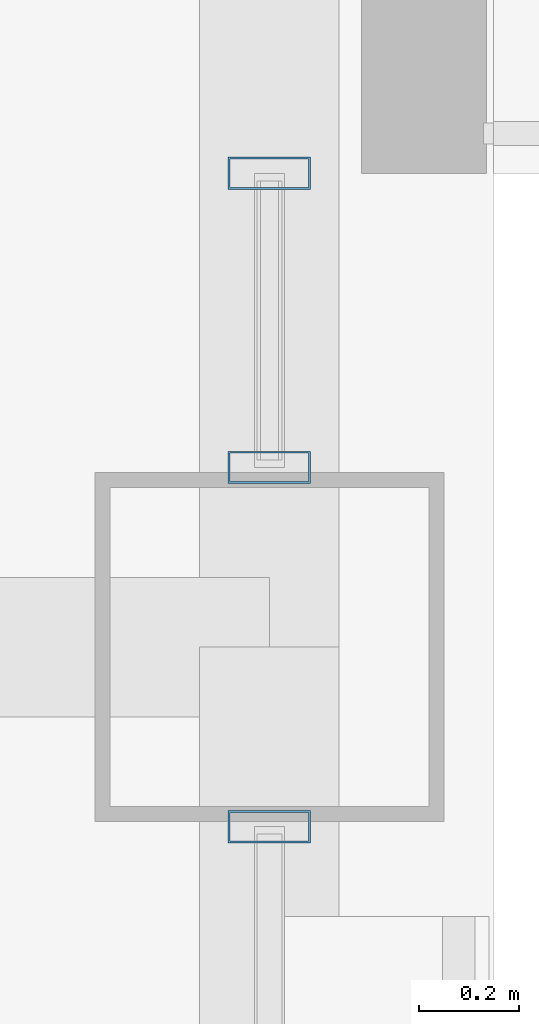
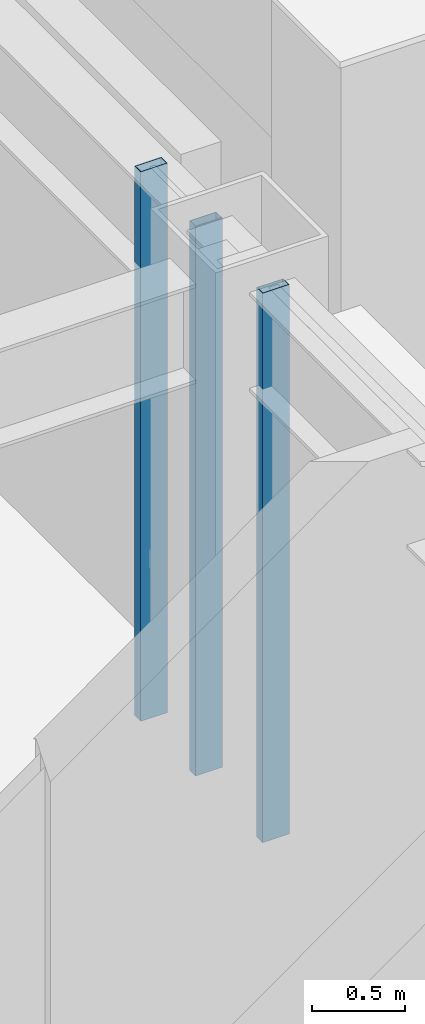
# One storey, part 14 of 30: 3 members, 2 elements without a shape of their own.
"""IFC4 building model written with IfcOpenShell, lengths in metres."""

from ifc_helpers import new_model, si_unit, direction, frame, origin, origin_2d, place, context, subcontext, project, spatial, hollow_rectangle, extrude, material, layer, layer_set, material_profile, profile_set, type_object, element, aggregate, save


model = new_model("IFC4")

# Units and contexts
model_context = context("Model", 3, precision=1e-05, world=origin(), true_north=direction((0.0, 1.0)))
body_context = subcontext(model_context, "Body", "Model", "MODEL_VIEW")
ifc_project = project(units=[si_unit("LENGTHUNIT", "METRE"), si_unit("AREAUNIT", "SQUARE_METRE"), si_unit("VOLUMEUNIT", "CUBIC_METRE"), si_unit("PLANEANGLEUNIT", "RADIAN"), si_unit("MASSUNIT", "GRAM", prefix="KILO")], contexts=[model_context])

# Site, building, storey
site_placement = place(None, origin())
site = spatial("IfcSite", under=ifc_project, at=site_placement, CompositionType="ELEMENT")
building_placement = place(site_placement, origin())
building = spatial("IfcBuilding", under=site, at=building_placement, Name="Brelmoor Portico Tower", CompositionType="ELEMENT")
storey_placement = place(building_placement, frame((0.0, 0.0, 198.300048828125)))
storey = spatial("IfcBuildingStorey", under=building, at=storey_placement, Name="L52", CompositionType="ELEMENT", Elevation=198.300048828125)

# Curtain wall, member
ifc_material = material(Name="Anodised Aluminium Alloy 6063-T6", Category="aluminium")
ifc_layer_1 = layer(ifc_material, 0.179931640625)
ifc_layer_set_1 = layer_set([ifc_layer_1], Name="Anodised Aluminium Alloy 6063-T6")
curtain_wall_type_1 = type_object("IfcCurtainWallType", Name="CW-TOWER-Z3-XB", PredefinedType="NOTDEFINED", material=ifc_layer_set_1)
curtain_wall_1_placement = place(storey_placement, origin())
curtain_wall_1 = element("IfcCurtainWall", 1, at=curtain_wall_1_placement, inside=storey, type_object=curtain_wall_type_1, Name="L52 Curtain Wall CW-L52-4L-1", PredefinedType="NOTDEFINED")
ifc_material_profile = material_profile(ifc_material, hollow_rectangle(XDim=0.06494140625, YDim=0.1650390625, WallThickness=0.00390625, at=origin_2d()), Name="ALU MULLION 65x165")
ifc_profile_set = profile_set([ifc_material_profile], Name="Anodised Aluminium Alloy 6063-T6")
member_type = type_object("IfcMemberType", Name="MB-CW-MULL-165", PredefinedType="MULLION", material=ifc_profile_set)
member_1_placement = place(storey_placement, frame((20.550048828125, -10.110107421875, -0.199951171875), z_axis=(0.0, 0.0, 1.0), x_axis=(0.0, 1.0, 0.0)))
member_1 = element("IfcMember", 2, at=member_1_placement, type_object=member_type, Name="CW-L52-4L-1 Mullion 01", PredefinedType="MULLION", context=body_context, shape_type="SweptSolid", body=[
    extrude(hollow_rectangle(XDim=0.06494140625, YDim=0.1650390625, WallThickness=0.00390625, at=origin_2d()), origin(), (0.0, 0.0, 1.0), 3.599853515625),
])
aggregate(curtain_wall_1, [member_1])

# Curtain wall, members
ifc_layer_2 = layer(ifc_material, 0.179931640625)
ifc_layer_set_2 = layer_set([ifc_layer_2], Name="Anodised Aluminium Alloy 6063-T6")
curtain_wall_type_2 = type_object("IfcCurtainWallType", Name="CW-TOWER-Z3", PredefinedType="NOTDEFINED", material=ifc_layer_set_2)
curtain_wall_2_placement = place(storey_placement, origin())
curtain_wall_2 = element("IfcCurtainWall", 3, at=curtain_wall_2_placement, inside=storey, type_object=curtain_wall_type_2, Name="L52 Curtain Wall CW-L52-4L-2", PredefinedType="NOTDEFINED")
member_2_placement = place(storey_placement, frame((20.550048828125, -9.389892578125, -0.199951171875), z_axis=(0.0, 0.0, 1.0), x_axis=(0.0, 1.0, 0.0)))
member_2 = element("IfcMember", 4, at=member_2_placement, type_object=member_type, Name="CW-L52-4L-2 Mullion 00", PredefinedType="MULLION", context=body_context, shape_type="SweptSolid", body=[
    extrude(hollow_rectangle(XDim=0.06494140625, YDim=0.1650390625, WallThickness=0.00390625, at=origin_2d()), origin(), (0.0, 0.0, 1.0), 3.599853515625),
])
member_3_placement = place(storey_placement, frame((20.550048828125, -8.800048828125, -0.199951171875), z_axis=(0.0, 0.0, 1.0), x_axis=(0.0, 1.0, 0.0)))
member_3 = element("IfcMember", 5, at=member_3_placement, type_object=member_type, Name="CW-L52-4L-2 Mullion 01", PredefinedType="MULLION", context=body_context, shape_type="SweptSolid", body=[
    extrude(hollow_rectangle(XDim=0.06494140625, YDim=0.1650390625, WallThickness=0.00390625, at=origin_2d()), origin(), (0.0, 0.0, 1.0), 3.599853515625),
])
aggregate(curtain_wall_2, [member_2, member_3])

save(model, "model.ifc")
